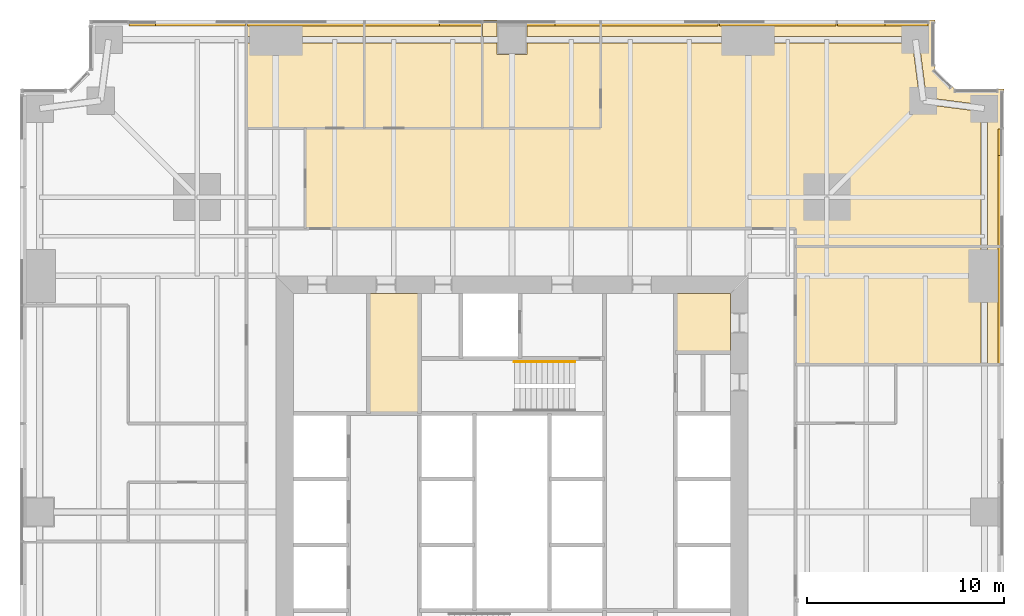
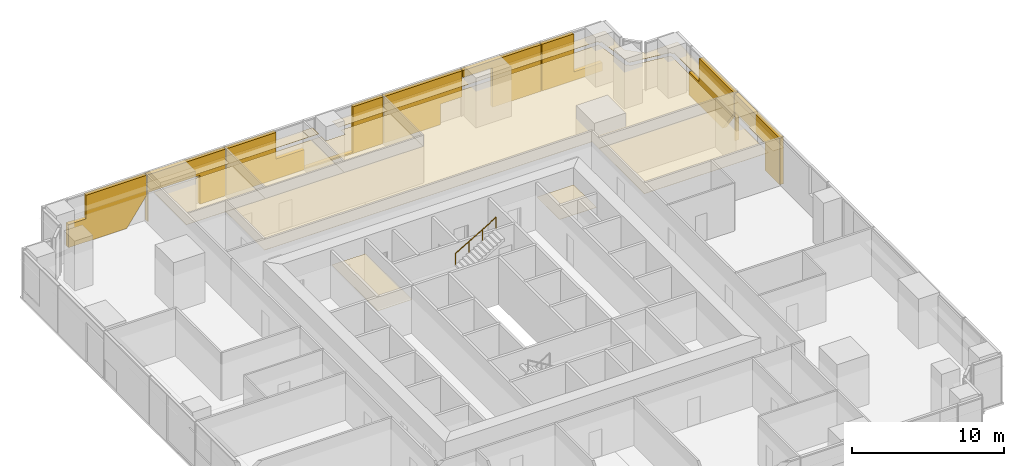
# One storey, part 14 of 14: 22 coverings, 1 railing.
"""IFC4 building model written with IfcOpenShell, lengths in metres."""

import ifcopenshell
import ifcopenshell.guid

model = None  # the IFC model being written
_history = None  # IfcOwnerHistory: only IFC2X3 demands one
_inside = {}  # id of a spatial element -> (the spatial element, [elements in it])
_under = {}  # id of a project, library or spatial element -> (it, [spatial elements below it])
_declared = {}  # id of a project -> (the project, [libraries it declares])
_typed = {}  # id of a type object -> (the type object, [elements of that type])
_made_of = {}  # id of a material, layer set ... -> (it, [elements and type objects made of it])


def new_model(schema):
    """Start an empty IFC model of exactly this schema.

    Asked for "IFC4X3", IfcOpenShell would pick the latest addendum, in which some entities
    have other attributes; the version numbers below select the first issue.
    IFC2X3 requires an IfcOwnerHistory on every rooted entity: one is made here for all.
    """
    global model, _history
    if schema == "IFC4X3":
        model = ifcopenshell.file(schema_version=(4, 3, 0, 0))
    else:
        model = ifcopenshell.file(schema=schema)
    _inside.clear()
    _under.clear()
    _declared.clear()
    _typed.clear()
    _made_of.clear()
    _history = None
    if model.schema == "IFC2X3":
        org = make("IfcOrganization", Name="unknown")
        user = make(
            "IfcPersonAndOrganization",
            ThePerson=make("IfcPerson", FamilyName="unknown"),
            TheOrganization=org,
        )
        app = make(
            "IfcApplication",
            ApplicationDeveloper=org,
            Version="unknown",
            ApplicationFullName="unknown",
            ApplicationIdentifier="unknown",
        )
        _history = make(
            "IfcOwnerHistory",
            OwningUser=user,
            OwningApplication=app,
            ChangeAction="ADDED",
            CreationDate=0,
        )
    return model


def make(cls, **values):
    """One entity of the class cls with the attributes given. An attribute that is None is left unset."""
    return model.create_entity(
        cls, **{name: value for name, value in values.items() if value is not None}
    )


def rooted(cls, **values):
    """An entity with a GlobalId (a new one), such as an element, a storey or a relation."""
    return make(cls, GlobalId=ifcopenshell.guid.new(), OwnerHistory=_history, **values)


def si_unit(unit_type, name, prefix=None):
    """IfcSIUnit, for example si_unit("LENGTHUNIT", "METRE", prefix="MILLI")."""
    return make("IfcSIUnit", UnitType=unit_type, Prefix=prefix, Name=name)


def assignment(units):
    """IfcUnitAssignment: the units of a project."""
    return None if units is None else make("IfcUnitAssignment", Units=units)


def point(xyz):
    """IfcCartesianPoint."""
    return None if xyz is None else make("IfcCartesianPoint", Coordinates=xyz)


def direction(xyz):
    """IfcDirection."""
    return None if xyz is None else make("IfcDirection", DirectionRatios=xyz)


def frame(location, z_axis=None, x_axis=None):
    """IfcAxis2Placement3D, a coordinate frame: its origin and axes. An axis left out is left unset."""
    return make(
        "IfcAxis2Placement3D",
        Location=point(location),
        Axis=direction(z_axis),
        RefDirection=direction(x_axis),
    )


def frame_2d(location, x_axis=None):
    """IfcAxis2Placement2D, a coordinate frame in the plane: its origin and x axis."""
    return make(
        "IfcAxis2Placement2D", Location=point(location), RefDirection=direction(x_axis)
    )


def origin():
    """The frame at (0, 0, 0) with its axes left unset."""
    return frame((0.0, 0.0, 0.0))


def origin_2d():
    """The frame at (0, 0) in the plane with its x axis left unset."""
    return frame_2d((0.0, 0.0))


def place(relative_to, where):
    """IfcLocalPlacement: puts the frame where relative to a parent placement (None: the world)."""
    return make(
        "IfcLocalPlacement", PlacementRelTo=relative_to, RelativePlacement=where
    )


def context(
    kind, dimensions, precision=None, world=None, true_north=None, identifier=None
):
    """IfcGeometricRepresentationContext, for example the 3D "Model" context."""
    return make(
        "IfcGeometricRepresentationContext",
        ContextIdentifier=identifier,
        ContextType=kind,
        CoordinateSpaceDimension=dimensions,
        Precision=precision,
        WorldCoordinateSystem=world,
        TrueNorth=true_north,
    )


def subcontext(parent, identifier, kind, view, scale=None):
    """IfcGeometricRepresentationSubContext, for example "Body" below "Model"."""
    return make(
        "IfcGeometricRepresentationSubContext",
        ContextIdentifier=identifier,
        ContextType=kind,
        ParentContext=parent,
        TargetScale=scale,
        TargetView=view,
    )


def project(units=None, contexts=None):
    """IfcProject with its units and contexts."""
    return rooted(
        "IfcProject",
        Name="project",
        RepresentationContexts=contexts,
        UnitsInContext=assignment(units),
    )


def spatial(cls, under=None, at=None, **own):
    """A site, building, storey or space (cls), placed at a placement, below another one or the project."""
    s = rooted(cls, ObjectPlacement=at, **own)
    if under is not None:
        _under.setdefault(under.id(), (under, []))[1].append(s)
    return s


def polyline(points):
    """IfcPolyline through the points."""
    return make("IfcPolyline", Points=[point(p) for p in points])


def profile(cls, at=None, kind="AREA", **sizes):
    """A parametric profile (cls). Its sizes go by their IFC names, for example OverallWidth=200.0."""
    return make(cls, ProfileType=kind, Position=at, **sizes)


def circle(**sizes):
    """IfcCircleProfileDef."""
    return profile("IfcCircleProfileDef", **sizes)


def outline(outer, holes=None, kind="AREA"):
    """IfcArbitraryClosedProfileDef: a profile drawn as a closed curve; with holes, ...WithVoids."""
    if holes is None:
        return make("IfcArbitraryClosedProfileDef", ProfileType=kind, OuterCurve=outer)
    return make(
        "IfcArbitraryProfileDefWithVoids",
        ProfileType=kind,
        OuterCurve=outer,
        InnerCurves=holes,
    )


def extrude(swept, where, along, depth):
    """IfcExtrudedAreaSolid: the profile swept, set in the frame where, extruded along a direction by depth."""
    return make(
        "IfcExtrudedAreaSolid",
        SweptArea=swept,
        Position=where,
        ExtrudedDirection=direction(along),
        Depth=depth,
    )


def shape(context_of_items, identifier, shape_type, items):
    """IfcShapeRepresentation: the items that make up one representation, for example the "Body"."""
    return make(
        "IfcShapeRepresentation",
        ContextOfItems=context_of_items,
        RepresentationIdentifier=identifier,
        RepresentationType=shape_type,
        Items=items,
    )


def material(Name=None, Category=None):
    """IfcMaterial."""
    return make("IfcMaterial", Name=Name, Category=Category)


def layer(
    of_material, thickness, ventilated=None, Name=None, Category=None, Priority=None
):
    """IfcMaterialLayer: one layer of a wall or slab, of a material (None: an air gap)."""
    return make(
        "IfcMaterialLayer",
        Material=of_material,
        LayerThickness=thickness,
        IsVentilated=ventilated,
        Name=Name,
        Category=Category,
        Priority=Priority,
    )


def layer_set(layers, Name=None):
    """IfcMaterialLayerSet."""
    return make("IfcMaterialLayerSet", MaterialLayers=layers, LayerSetName=Name)


def made_of(thing, what):
    """Note that an element or type object is made of a material, layer set ...; save() writes the relation."""
    if what is not None:
        _made_of.setdefault(what.id(), (what, []))[1].append(thing)
    return thing


def type_object(cls, material=None, **own):
    """A type object (cls), such as IfcWallType, which elements share."""
    return made_of(rooted(cls, **own), material)


def element(
    cls,
    number,
    at=None,
    inside=None,
    cuts=None,
    type_object=None,
    material=None,
    context=None,
    identifier="Body",
    shape_type=None,
    held_by="IfcProductDefinitionShape",
    body=None,
    shapes=None,
    **own,
):
    """One element of the class cls, such as IfcWall. Its Tag is "e" and its number.

    at: its placement. inside: the storey or other place that contains it. cuts: it is an
    opening in that element (IfcRelVoidsElement). A single representation is given by context,
    identifier, shape_type and body (its items); several are given by shapes. held_by: the class
    of the entity that holds the representations. save() writes the other relations.
    """
    e = rooted(cls, Tag="e%d" % number, ObjectPlacement=at, **own)
    if body is not None:
        shapes = [shape(context, identifier, shape_type, body)]
    if shapes is not None:
        e.Representation = make(held_by, Representations=shapes)
    if inside is not None:
        _inside.setdefault(inside.id(), (inside, []))[1].append(e)
    if cuts is not None:
        rooted(
            "IfcRelVoidsElement", RelatingBuildingElement=cuts, RelatedOpeningElement=e
        )
    if type_object is not None:
        _typed.setdefault(type_object.id(), (type_object, []))[1].append(e)
    return made_of(e, material)


def aggregate(whole, parts):
    """IfcRelAggregates: a whole, such as a stair, and the parts it consists of."""
    return rooted("IfcRelAggregates", RelatingObject=whole, RelatedObjects=parts)


def save(model, path):
    """Write the relations noted so far, then the file.

    IfcRelAggregates (storeys below a building ...), IfcRelContainedInSpatialStructure (elements
    in a storey), IfcRelDefinesByType, IfcRelAssociatesMaterial and IfcRelDeclares: one each for
    every whole, place, type object, material and project.
    """
    for whole, parts in _under.values():
        aggregate(whole, parts)
    for where, things in _inside.values():
        rooted(
            "IfcRelContainedInSpatialStructure",
            RelatedElements=things,
            RelatingStructure=where,
        )
    for kind, things in _typed.values():
        rooted("IfcRelDefinesByType", RelatedObjects=things, RelatingType=kind)
    for what, things in _made_of.values():
        rooted("IfcRelAssociatesMaterial", RelatedObjects=things, RelatingMaterial=what)
    for by, libraries in _declared.values():
        rooted("IfcRelDeclares", RelatingContext=by, RelatedDefinitions=libraries)
    model.write(path)


model = new_model("IFC4")

# Units and contexts
model_context = context("Model", 3, precision=1e-05, world=origin(), true_north=direction((0.0, 1.0)))
body_context = subcontext(model_context, "Body", "Model", "MODEL_VIEW")
ifc_project = project(units=[si_unit("LENGTHUNIT", "METRE"), si_unit("AREAUNIT", "SQUARE_METRE"), si_unit("VOLUMEUNIT", "CUBIC_METRE"), si_unit("PLANEANGLEUNIT", "RADIAN"), si_unit("MASSUNIT", "GRAM", prefix="KILO")], contexts=[model_context])

# Site, building, storey
site_placement = place(None, origin())
site = spatial("IfcSite", under=ifc_project, at=site_placement, CompositionType="ELEMENT")
building_placement = place(site_placement, origin())
building = spatial("IfcBuilding", under=site, at=building_placement, Name="Fenwick Lantern Interchange", CompositionType="ELEMENT")
storey_placement = place(building_placement, frame((0.0, 0.0, 71.0)))
storey = spatial("IfcBuildingStorey", under=building, at=storey_placement, Name="L16", CompositionType="ELEMENT", Elevation=71.0)

# Coverings
ifc_material_1 = material(Name="Mineral fibre acoustic tile on suspended grid")
ifc_layer_1 = layer(ifc_material_1, 0.02001953125)
ifc_layer_set_1 = layer_set([ifc_layer_1], Name="ACOUSTIC TILE CEILING 20")
covering_type_1 = type_object("IfcCoveringType", Name="ACOUSTIC TILE CEILING 20", PredefinedType="CEILING", material=ifc_layer_set_1)
covering_1_placement = place(storey_placement, frame((0.0, 0.0, 2.89990234375)))
element("IfcCovering", 1, at=covering_1_placement, inside=storey, type_object=covering_type_1, Name="Office suite ceiling", PredefinedType="CEILING", context=body_context, shape_type="SweptSolid", body=[
    extrude(outline(polyline([(39.39990234375, 32.5), (48.82763671875, 32.5), (48.82763671875, 37.0), (48.82763671875, 38.5), (39.39990234375, 38.5), (39.39990234375, 32.5)])), origin(), (0.0, 0.0, 1.0), 0.02001953125),
])
covering_2_placement = place(storey_placement, frame((0.0, 0.0, 2.89990234375)))
element("IfcCovering", 2, at=covering_2_placement, inside=storey, type_object=covering_type_1, Name="Office suite ceiling", PredefinedType="CEILING", context=body_context, shape_type="SweptSolid", body=[
    extrude(outline(polyline([(50.0, 32.5), (50.0, 38.5), (49.17236328125, 38.5), (49.17236328125, 37.0), (49.17236328125, 32.5), (50.0, 32.5)])), origin(), (0.0, 0.0, 1.0), 0.02001953125),
])
covering_3_placement = place(storey_placement, frame((0.0, 0.0, 2.89990234375)))
element("IfcCovering", 3, at=covering_3_placement, inside=storey, type_object=covering_type_1, Name="Office suite ceiling", PredefinedType="CEILING", context=body_context, shape_type="SweptSolid", body=[
    extrude(outline(polyline([(39.39990234375, 38.5), (48.82763671875, 38.5), (48.82763671875, 45.348388671875), (45.8779296875, 45.72900390625), (45.89990234375, 45.89990234375), (45.72900390625, 45.8779296875), (45.348388671875, 48.82763671875), (37.0, 48.82763671875), (29.5, 48.82763671875), (29.5, 44.5), (14.5, 44.5), (14.5, 39.39990234375), (39.39990234375, 39.39990234375), (39.39990234375, 38.5)])), origin(), (0.0, 0.0, 1.0), 0.02001953125),
])
covering_4_placement = place(storey_placement, frame((0.0, 0.0, 2.89990234375)))
element("IfcCovering", 4, at=covering_4_placement, inside=storey, type_object=covering_type_1, Name="Office suite ceiling", PredefinedType="CEILING", context=body_context, shape_type="SweptSolid", body=[
    extrude(outline(polyline([(46.5, 50.0), (29.5, 50.0), (29.5, 49.17236328125), (37.0, 49.17236328125), (45.5, 49.17236328125), (45.5, 49.0), (45.6708984375, 49.02197265625), (46.053955078125, 46.053955078125), (49.02197265625, 45.6708984375), (49.0, 45.5), (49.17236328125, 45.5), (49.17236328125, 38.5), (50.0, 38.5), (50.0, 46.5), (47.5, 46.5), (46.5, 47.5), (46.5, 50.0)])), origin(), (0.0, 0.0, 1.0), 0.02001953125),
])
covering_5_placement = place(storey_placement, frame((0.0, 0.0, 2.89990234375)))
element("IfcCovering", 5, at=covering_5_placement, inside=storey, type_object=covering_type_1, Name="Office ceiling", PredefinedType="CEILING", context=body_context, shape_type="SweptSolid", body=[
    extrude(outline(polyline([(29.5, 44.5), (29.5, 48.82763671875), (25.75, 48.82763671875), (25.75, 48.25), (24.25, 48.25), (24.25, 48.82763671875), (23.5, 48.82763671875), (23.5, 44.5), (29.5, 44.5)])), origin(), (0.0, 0.0, 1.0), 0.02001953125),
])
covering_6_placement = place(storey_placement, frame((0.0, 0.0, 2.89990234375)))
element("IfcCovering", 6, at=covering_6_placement, inside=storey, type_object=covering_type_1, Name="Office ceiling", PredefinedType="CEILING", context=body_context, shape_type="SweptSolid", body=[
    extrude(outline(polyline([(29.5, 49.17236328125), (29.5, 50.0), (25.75, 50.0), (25.75, 49.17236328125), (29.5, 49.17236328125)])), origin(), (0.0, 0.0, 1.0), 0.02001953125),
])
covering_7_placement = place(storey_placement, frame((0.0, 0.0, 2.89990234375)))
element("IfcCovering", 7, at=covering_7_placement, inside=storey, type_object=covering_type_1, Name="Office ceiling", PredefinedType="CEILING", context=body_context, shape_type="SweptSolid", body=[
    extrude(outline(polyline([(23.5, 50.0), (23.5, 49.17236328125), (24.25, 49.17236328125), (24.25, 50.0), (23.5, 50.0)])), origin(), (0.0, 0.0, 1.0), 0.02001953125),
])
covering_8_placement = place(storey_placement, frame((0.0, 0.0, 2.89990234375)))
element("IfcCovering", 8, at=covering_8_placement, inside=storey, type_object=covering_type_1, Name="Meeting room ceiling", PredefinedType="CEILING", context=body_context, shape_type="SweptSolid", body=[
    extrude(outline(polyline([(23.5, 44.5), (23.5, 48.82763671875), (17.5, 48.82763671875), (17.5, 44.5), (23.5, 44.5)])), origin(), (0.0, 0.0, 1.0), 0.02001953125),
])
covering_9_placement = place(storey_placement, frame((0.0, 0.0, 2.89990234375)))
element("IfcCovering", 9, at=covering_9_placement, inside=storey, type_object=covering_type_1, Name="Meeting room ceiling", PredefinedType="CEILING", context=body_context, shape_type="SweptSolid", body=[
    extrude(outline(polyline([(17.5, 50.0), (17.5, 49.17236328125), (23.5, 49.17236328125), (23.5, 50.0), (17.5, 50.0)])), origin(), (0.0, 0.0, 1.0), 0.02001953125),
])
covering_10_placement = place(storey_placement, frame((0.0, 0.0, 2.89990234375)))
element("IfcCovering", 10, at=covering_10_placement, inside=storey, type_object=covering_type_1, Name="Office ceiling", PredefinedType="CEILING", context=body_context, shape_type="SweptSolid", body=[
    extrude(outline(polyline([(17.5, 44.5), (17.5, 48.82763671875), (13.0, 48.82763671875), (11.5, 48.82763671875), (11.5, 44.5), (17.5, 44.5)])), origin(), (0.0, 0.0, 1.0), 0.02001953125),
])
covering_11_placement = place(storey_placement, frame((0.0, 0.0, 2.89990234375)))
element("IfcCovering", 11, at=covering_11_placement, inside=storey, type_object=covering_type_1, Name="Office ceiling", PredefinedType="CEILING", context=body_context, shape_type="SweptSolid", body=[
    extrude(outline(polyline([(11.5, 50.0), (11.5, 49.17236328125), (13.0, 49.17236328125), (17.5, 49.17236328125), (17.5, 50.0), (11.5, 50.0)])), origin(), (0.0, 0.0, 1.0), 0.02001953125),
])
ifc_material_2 = material(Name="Granite cladding, warm grey flamed finish, on aluminium carrier frame", Category="masonry")
ifc_layer_2 = layer(ifc_material_2, 0.300048828125)
ifc_layer_set_2 = layer_set([ifc_layer_2], Name="BRACE CASING PANEL 300")
covering_type_2 = type_object("IfcCoveringType", Name="BRACE CASING PANEL 300", PredefinedType="CLADDING", material=ifc_layer_set_2)
covering_12_placement = place(storey_placement, frame((49.89990234375, 3.60009765625, 0.0), z_axis=(0.0, 0.0, 1.0), x_axis=(0.0, 1.0, 0.0)))
element("IfcCovering", 12, at=covering_12_placement, inside=storey, type_object=covering_type_2, Name="Brace casing 05 bay 05a", PredefinedType="CLADDING", context=body_context, shape_type="SweptSolid", body=[
    extrude(outline(polyline([(28.9326171875, 0.0), (30.87255859375, 0.0), (30.87255859375, 2.321044921875), (34.78759765625, 2.321044921875), (34.78759765625, 0.0), (34.867431640625, 0.0), (34.867431640625, 3.75), (28.9326171875, 3.75), (28.9326171875, 0.0)])), frame((0.0, 0.2001953125, 0.0), z_axis=(0.0, -1.0, 0.0), x_axis=(1.0, 0.0, 0.0)), (0.0, 0.0, 1.0), 0.300048828125),
])
covering_13_placement = place(storey_placement, frame((49.89990234375, 3.60009765625, 0.0), z_axis=(0.0, 0.0, 1.0), x_axis=(0.0, 1.0, 0.0)))
element("IfcCovering", 13, at=covering_13_placement, inside=storey, type_object=covering_type_2, Name="Brace casing 05 bay 06a", PredefinedType="CLADDING", context=body_context, shape_type="SweptSolid", body=[
    extrude(outline(polyline([(36.431640625, 0.0), (40.867431640625, 0.0), (40.867431640625, 1.858154296875), (39.52685546875, 1.858154296875), (39.52685546875, 3.75), (34.9326171875, 3.75), (34.9326171875, 2.116455078125), (36.431640625, 0.0)])), frame((0.0, 0.2001953125, 0.0), z_axis=(0.0, -1.0, 0.0), x_axis=(1.0, 0.0, 0.0)), (0.0, 0.0, 1.0), 0.300048828125),
])
covering_14_placement = place(storey_placement, frame((46.39990234375, 49.89990234375, 0.0), z_axis=(0.0, 0.0, 1.0), x_axis=(-1.0, 0.0, 0.0)))
element("IfcCovering", 14, at=covering_14_placement, inside=storey, type_object=covering_type_2, Name="Brace casing 09 bay 00a", PredefinedType="CLADDING", context=body_context, shape_type="SweptSolid", body=[
    extrude(outline(polyline([(0.264892578125, 0.0), (4.867431640625, 0.0), (4.867431640625, 3.75), (2.43994140625, 3.75), (2.43994140625, 0.68212890625), (0.264892578125, 0.68212890625), (0.264892578125, 0.0)])), frame((0.0, 0.2001953125, 0.0), z_axis=(0.0, -1.0, 0.0), x_axis=(1.0, 0.0, 0.0)), (0.0, 0.0, 1.0), 0.300048828125),
])
covering_15_placement = place(storey_placement, frame((46.39990234375, 49.89990234375, 0.0), z_axis=(0.0, 0.0, 1.0), x_axis=(-1.0, 0.0, 0.0)))
element("IfcCovering", 15, at=covering_15_placement, inside=storey, type_object=covering_type_2, Name="Brace casing 09 bay 01a", PredefinedType="CLADDING", context=body_context, shape_type="SweptSolid", body=[
    extrude(outline(polyline([(4.9326171875, 0.0), (8.618408203125, 0.0), (8.618408203125, 3.176513671875), (10.867431640625, 3.176513671875), (10.867431640625, 3.75), (4.9326171875, 3.75), (4.9326171875, 0.0)])), frame((0.0, 0.2001953125, 0.0), z_axis=(0.0, -1.0, 0.0), x_axis=(1.0, 0.0, 0.0)), (0.0, 0.0, 1.0), 0.300048828125),
])
covering_16_placement = place(storey_placement, frame((46.39990234375, 49.89990234375, 0.0), z_axis=(0.0, 0.0, 1.0), x_axis=(-1.0, 0.0, 0.0)))
element("IfcCovering", 16, at=covering_16_placement, inside=storey, type_object=covering_type_2, Name="Brace casing 09 bay 02a", PredefinedType="CLADDING", context=body_context, shape_type="SweptSolid", body=[
    extrude(outline(polyline([(12.592529296875, 0.0), (16.867431640625, 0.0), (16.867431640625, 3.75), (10.9326171875, 3.75), (10.9326171875, 1.656005859375), (12.592529296875, 1.656005859375), (12.592529296875, 0.0)])), frame((0.0, 0.2001953125, 0.0), z_axis=(0.0, -1.0, 0.0), x_axis=(1.0, 0.0, 0.0)), (0.0, 0.0, 1.0), 0.300048828125),
])
covering_17_placement = place(storey_placement, frame((46.39990234375, 49.89990234375, 0.0), z_axis=(0.0, 0.0, 1.0), x_axis=(-1.0, 0.0, 0.0)))
element("IfcCovering", 17, at=covering_17_placement, inside=storey, type_object=covering_type_2, Name="Brace casing 09 bay 03a", PredefinedType="CLADDING", context=body_context, shape_type="SweptSolid", body=[
    extrude(outline(polyline([(16.9326171875, 0.0), (22.867431640625, 0.0), (22.867431640625, 0.112060546875), (19.2275390625, 0.112060546875), (19.2275390625, 3.75), (16.9326171875, 3.75), (16.9326171875, 0.0)])), frame((0.0, 0.2001953125, 0.0), z_axis=(0.0, -1.0, 0.0), x_axis=(1.0, 0.0, 0.0)), (0.0, 0.0, 1.0), 0.300048828125),
])
covering_18_placement = place(storey_placement, frame((46.39990234375, 49.89990234375, 0.0), z_axis=(0.0, 0.0, 1.0), x_axis=(-1.0, 0.0, 0.0)))
element("IfcCovering", 18, at=covering_18_placement, inside=storey, type_object=covering_type_2, Name="Brace casing 09 bay 04a", PredefinedType="CLADDING", context=body_context, shape_type="SweptSolid", body=[
    extrude(outline(polyline([(22.9326171875, 0.0), (28.867431640625, 0.0), (28.867431640625, 3.75), (25.072509765625, 3.75), (25.072509765625, 1.612060546875), (22.9326171875, 1.612060546875), (22.9326171875, 0.0)])), frame((0.0, 0.2001953125, 0.0), z_axis=(0.0, -1.0, 0.0), x_axis=(1.0, 0.0, 0.0)), (0.0, 0.0, 1.0), 0.300048828125),
])
covering_19_placement = place(storey_placement, frame((46.39990234375, 49.89990234375, 0.0), z_axis=(0.0, 0.0, 1.0), x_axis=(-1.0, 0.0, 0.0)))
element("IfcCovering", 19, at=covering_19_placement, inside=storey, type_object=covering_type_2, Name="Brace casing 09 bay 05a", PredefinedType="CLADDING", context=body_context, shape_type="SweptSolid", body=[
    extrude(outline(polyline([(28.9326171875, 0.0), (30.87255859375, 0.0), (30.87255859375, 2.321044921875), (34.78759765625, 2.321044921875), (34.78759765625, 0.0), (34.867431640625, 0.0), (34.867431640625, 3.75), (28.9326171875, 3.75), (28.9326171875, 0.0)])), frame((0.0, 0.2001953125, 0.0), z_axis=(0.0, -1.0, 0.0), x_axis=(1.0, 0.0, 0.0)), (0.0, 0.0, 1.0), 0.300048828125),
])
covering_20_placement = place(storey_placement, frame((46.39990234375, 49.89990234375, 0.0), z_axis=(0.0, 0.0, 1.0), x_axis=(-1.0, 0.0, 0.0)))
element("IfcCovering", 20, at=covering_20_placement, inside=storey, type_object=covering_type_2, Name="Brace casing 09 bay 06a", PredefinedType="CLADDING", context=body_context, shape_type="SweptSolid", body=[
    extrude(outline(polyline([(36.431640625, 0.0), (40.867431640625, 0.0), (40.867431640625, 1.858154296875), (39.52685546875, 1.858154296875), (39.52685546875, 3.75), (34.9326171875, 3.75), (34.9326171875, 2.116455078125), (36.431640625, 0.0)])), frame((0.0, 0.2001953125, 0.0), z_axis=(0.0, -1.0, 0.0), x_axis=(1.0, 0.0, 0.0)), (0.0, 0.0, 1.0), 0.300048828125),
])

# Railing
ifc_material_3 = material(Name="Stainless steel handrail", Category="steel")
railing_type = type_object("IfcRailingType", Name="HANDRAIL 900", PredefinedType="HANDRAIL", material=ifc_material_3)
railing_placement = place(storey_placement, frame((25.1201171875, 32.6259765625, 2.166748046875)))
element("IfcRailing", 21, at=railing_placement, inside=storey, type_object=railing_type, Name="L16/STAIR/ST2/HR2", PredefinedType="HANDRAIL", context=body_context, shape_type="SweptSolid", body=[
    extrude(circle(Radius=0.02392578125, at=origin_2d()), frame((0.0, 0.0, 0.8759765625), z_axis=(0.859290745958, 0.0, 0.51148745235), x_axis=(0.0, 1.0, 0.0)), (0.0, 0.0, 1.0), 3.584228515625),
    extrude(circle(Radius=0.02099609375, at=origin_2d()), origin(), (0.0, 0.0, 1.0), 0.851806640625),
    extrude(circle(Radius=0.02099609375, at=origin_2d()), frame((1.026611328125, 0.0, 0.611083984375)), (0.0, 0.0, 1.0), 0.851806640625),
    extrude(circle(Radius=0.02099609375, at=origin_2d()), frame((2.05322265625, 0.0, 1.22216796875)), (0.0, 0.0, 1.0), 0.851806640625),
    extrude(circle(Radius=0.02099609375, at=origin_2d()), frame((3.079833984375, 0.0, 1.833251953125)), (0.0, 0.0, 1.0), 0.851806640625),
])

# Coverings
ifc_material_4 = material(Name="Moisture resistant gypsum board on suspended frame, painted")
ifc_layer_3 = layer(ifc_material_4, 0.014892578125)
ifc_layer_set_3 = layer_set([ifc_layer_3], Name="MOISTURE RESISTANT CEILING 15")
covering_type_3 = type_object("IfcCoveringType", Name="MOISTURE RESISTANT CEILING 15", PredefinedType="CEILING", material=ifc_layer_set_3)
covering_21_placement = place(storey_placement, frame((0.0, 0.0, 2.60009765625)))
element("IfcCovering", 22, at=covering_21_placement, inside=storey, type_object=covering_type_3, Name="Men's WC ceiling", PredefinedType="CEILING", context=body_context, shape_type="SweptSolid", body=[
    extrude(outline(polyline([(20.300048828125, 36.10009765625), (17.699951171875, 36.10009765625), (17.699951171875, 30.0), (20.300048828125, 30.0), (20.300048828125, 36.10009765625)])), origin(), (0.0, 0.0, 1.0), 0.014892578125),
])
covering_22_placement = place(storey_placement, frame((0.0, 0.0, 2.60009765625)))
element("IfcCovering", 23, at=covering_22_placement, inside=storey, type_object=covering_type_3, Name="Accessible WC ceiling", PredefinedType="CEILING", context=body_context, shape_type="SweptSolid", body=[
    extrude(outline(polyline([(36.10009765625, 36.10009765625), (33.300048828125, 36.10009765625), (33.300048828125, 33.10009765625), (36.10009765625, 33.10009765625), (36.10009765625, 36.10009765625)])), origin(), (0.0, 0.0, 1.0), 0.014892578125),
])

save(model, "model.ifc")
